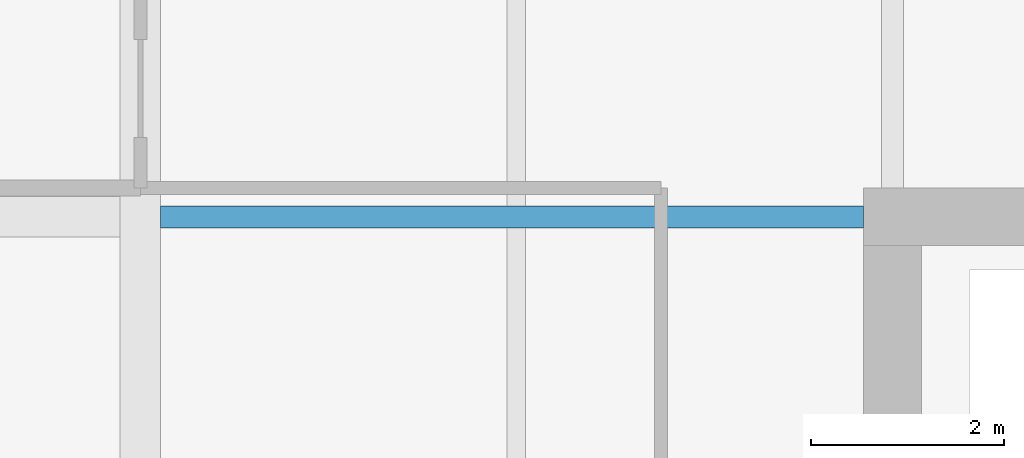
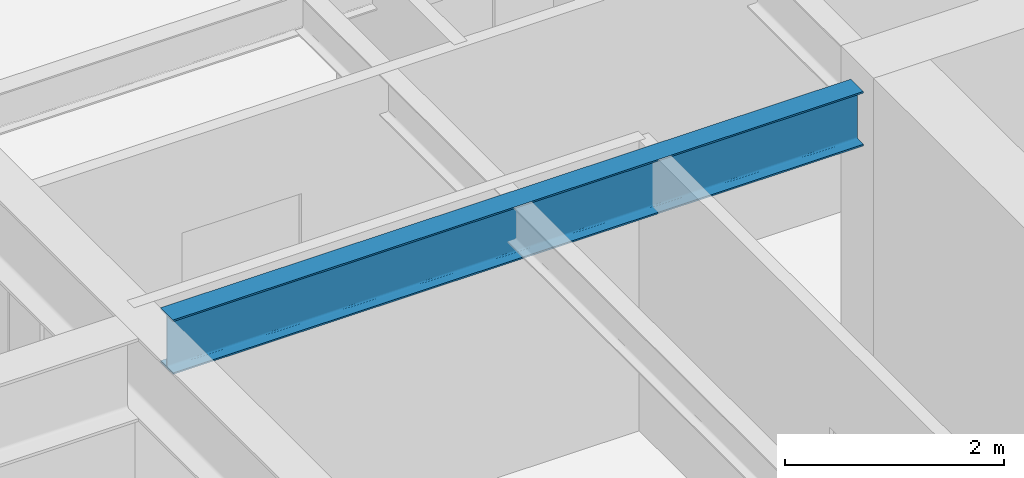
# One storey, part 18 of 38: 1 beam.
"""IFC4 building model written with IfcOpenShell, lengths in metres."""

from ifc_helpers import new_model, si_unit, direction, frame, origin, origin_2d, place, context, subcontext, project, spatial, i_section, extrude, material, material_profile, profile_set, type_object, element, save


model = new_model("IFC4")

# Units and contexts
model_context = context("Model", 3, precision=1e-05, world=origin(), true_north=direction((0.0, 1.0)))
body_context = subcontext(model_context, "Body", "Model", "MODEL_VIEW")
ifc_project = project(units=[si_unit("LENGTHUNIT", "METRE"), si_unit("AREAUNIT", "SQUARE_METRE"), si_unit("VOLUMEUNIT", "CUBIC_METRE"), si_unit("PLANEANGLEUNIT", "RADIAN"), si_unit("MASSUNIT", "GRAM", prefix="KILO")], contexts=[model_context])

# Site, building, storey
site_placement = place(None, origin())
site = spatial("IfcSite", under=ifc_project, at=site_placement, CompositionType="ELEMENT")
building_placement = place(site_placement, origin())
building = spatial("IfcBuilding", under=site, at=building_placement, Name="Drelvath Grand Hotel", CompositionType="ELEMENT")
storey_placement = place(building_placement, frame((0.0, 0.0, 50.699951171875)))
storey = spatial("IfcBuildingStorey", under=building, at=storey_placement, Name="L11", CompositionType="ELEMENT", Elevation=50.699951171875)

# Beam
ifc_material = material(Name="Steel ASTM A992 Gr 50", Category="steel")
ifc_material_profile = material_profile(ifc_material, i_section(OverallWidth=0.228271484375, OverallDepth=0.607666015625, WebThickness=0.01123046875, FlangeThickness=0.017333984375, FilletRadius=0.02001953125, at=origin_2d()), Name="W24X76")
ifc_profile_set = profile_set([ifc_material_profile], Name="Steel ASTM A992 Gr 50")
beam_type = type_object("IfcBeamType", Name="Primary Floor Girder W24X76", PredefinedType="BEAM", material=ifc_profile_set)
beam_placement = place(storey_placement, frame((-15.99072265625, 35.39990234375, 2.936279296875), z_axis=(1.0, 0.0, 0.0), x_axis=(0.0, 1.0, 0.0)))
element("IfcBeam", 1, at=beam_placement, inside=storey, type_object=beam_type, Name="L11 West Core Tie F", PredefinedType="BEAM", context=body_context, shape_type="SweptSolid", body=[
    extrude(i_section(OverallWidth=0.228271484375, OverallDepth=0.607666015625, WebThickness=0.01123046875, FlangeThickness=0.017333984375, FilletRadius=0.02001953125, at=origin_2d()), origin(), (0.0, 0.0, 1.0), 7.290771484375),
])

save(model, "model.ifc")
